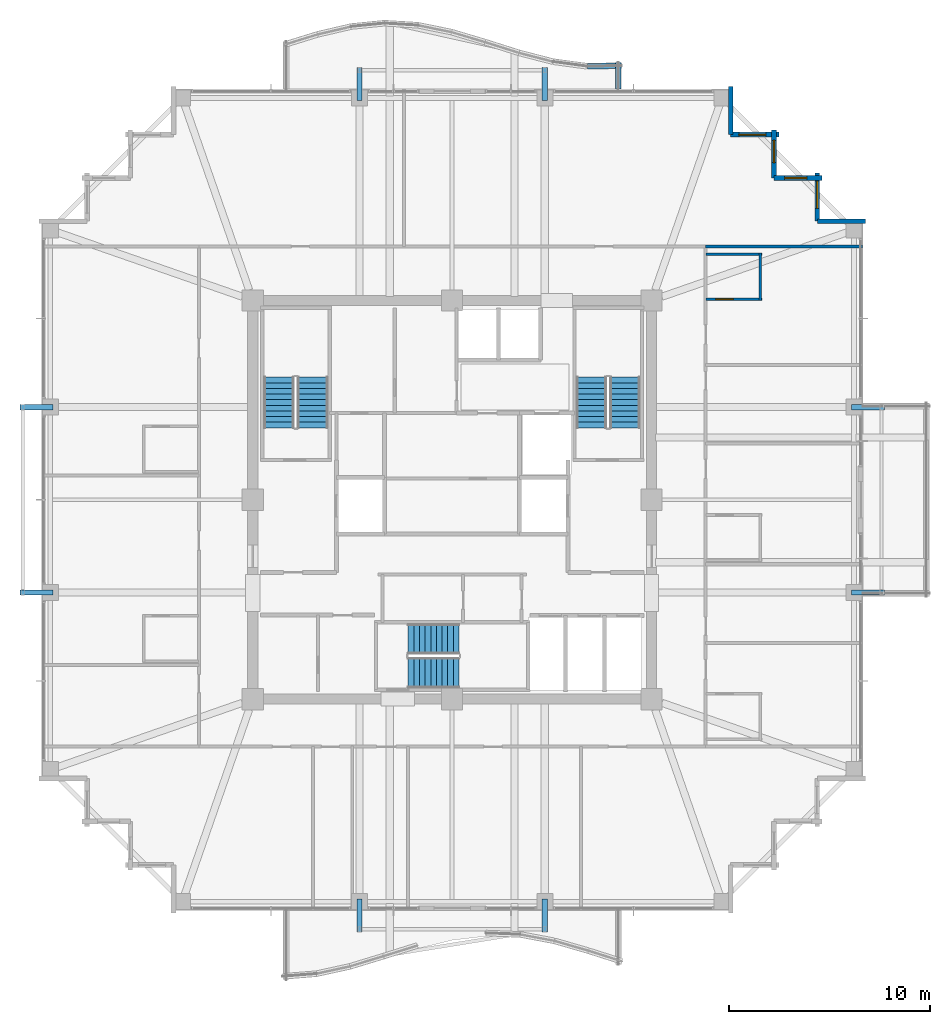
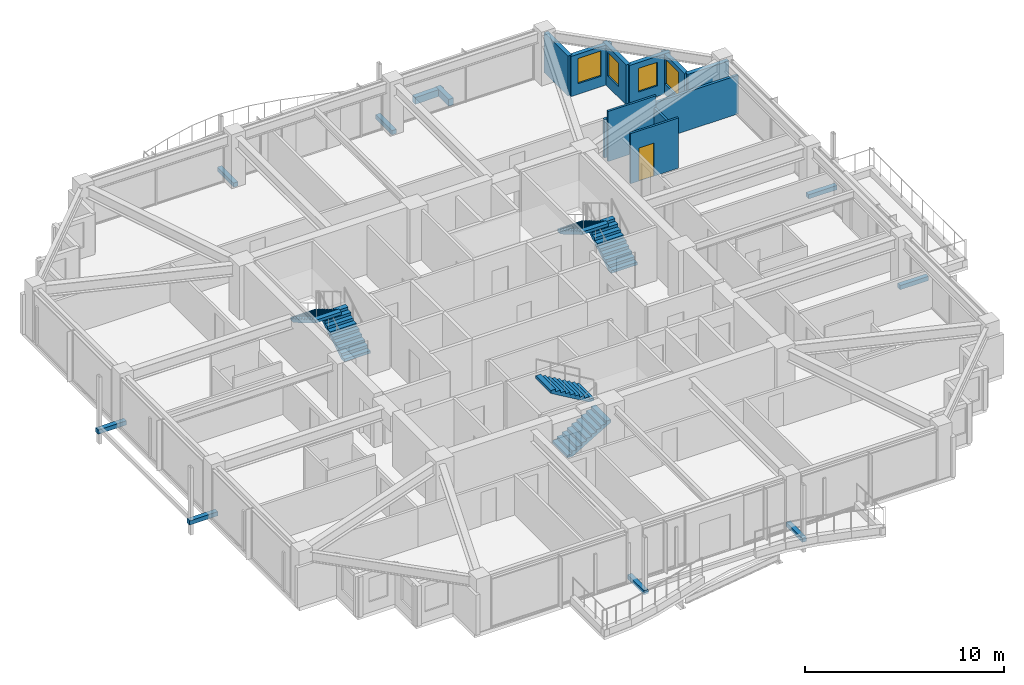
# One storey, part 36 of 38: 12 walls, 8 discrete accessories, 6 stair flights, 4 windows, 1 door, 5 openings, 3 elements without a shape of their own.
"""IFC4 building model written with IfcOpenShell, lengths in metres."""

import ifcopenshell
import ifcopenshell.guid

model = None  # the IFC model being written
_history = None  # IfcOwnerHistory: only IFC2X3 demands one
_inside = {}  # id of a spatial element -> (the spatial element, [elements in it])
_under = {}  # id of a project, library or spatial element -> (it, [spatial elements below it])
_declared = {}  # id of a project -> (the project, [libraries it declares])
_typed = {}  # id of a type object -> (the type object, [elements of that type])
_made_of = {}  # id of a material, layer set ... -> (it, [elements and type objects made of it])


def new_model(schema):
    """Start an empty IFC model of exactly this schema.

    Asked for "IFC4X3", IfcOpenShell would pick the latest addendum, in which some entities
    have other attributes; the version numbers below select the first issue.
    IFC2X3 requires an IfcOwnerHistory on every rooted entity: one is made here for all.
    """
    global model, _history
    if schema == "IFC4X3":
        model = ifcopenshell.file(schema_version=(4, 3, 0, 0))
    else:
        model = ifcopenshell.file(schema=schema)
    _inside.clear()
    _under.clear()
    _declared.clear()
    _typed.clear()
    _made_of.clear()
    _history = None
    if model.schema == "IFC2X3":
        org = make("IfcOrganization", Name="unknown")
        user = make(
            "IfcPersonAndOrganization",
            ThePerson=make("IfcPerson", FamilyName="unknown"),
            TheOrganization=org,
        )
        app = make(
            "IfcApplication",
            ApplicationDeveloper=org,
            Version="unknown",
            ApplicationFullName="unknown",
            ApplicationIdentifier="unknown",
        )
        _history = make(
            "IfcOwnerHistory",
            OwningUser=user,
            OwningApplication=app,
            ChangeAction="ADDED",
            CreationDate=0,
        )
    return model


def make(cls, **values):
    """One entity of the class cls with the attributes given. An attribute that is None is left unset."""
    return model.create_entity(
        cls, **{name: value for name, value in values.items() if value is not None}
    )


def rooted(cls, **values):
    """An entity with a GlobalId (a new one), such as an element, a storey or a relation."""
    return make(cls, GlobalId=ifcopenshell.guid.new(), OwnerHistory=_history, **values)


def si_unit(unit_type, name, prefix=None):
    """IfcSIUnit, for example si_unit("LENGTHUNIT", "METRE", prefix="MILLI")."""
    return make("IfcSIUnit", UnitType=unit_type, Prefix=prefix, Name=name)


def assignment(units):
    """IfcUnitAssignment: the units of a project."""
    return None if units is None else make("IfcUnitAssignment", Units=units)


def point(xyz):
    """IfcCartesianPoint."""
    return None if xyz is None else make("IfcCartesianPoint", Coordinates=xyz)


def direction(xyz):
    """IfcDirection."""
    return None if xyz is None else make("IfcDirection", DirectionRatios=xyz)


def frame(location, z_axis=None, x_axis=None):
    """IfcAxis2Placement3D, a coordinate frame: its origin and axes. An axis left out is left unset."""
    return make(
        "IfcAxis2Placement3D",
        Location=point(location),
        Axis=direction(z_axis),
        RefDirection=direction(x_axis),
    )


def frame_2d(location, x_axis=None):
    """IfcAxis2Placement2D, a coordinate frame in the plane: its origin and x axis."""
    return make(
        "IfcAxis2Placement2D", Location=point(location), RefDirection=direction(x_axis)
    )


def origin():
    """The frame at (0, 0, 0) with its axes left unset."""
    return frame((0.0, 0.0, 0.0))


def origin_2d():
    """The frame at (0, 0) in the plane with its x axis left unset."""
    return frame_2d((0.0, 0.0))


def place(relative_to, where):
    """IfcLocalPlacement: puts the frame where relative to a parent placement (None: the world)."""
    return make(
        "IfcLocalPlacement", PlacementRelTo=relative_to, RelativePlacement=where
    )


def context(
    kind, dimensions, precision=None, world=None, true_north=None, identifier=None
):
    """IfcGeometricRepresentationContext, for example the 3D "Model" context."""
    return make(
        "IfcGeometricRepresentationContext",
        ContextIdentifier=identifier,
        ContextType=kind,
        CoordinateSpaceDimension=dimensions,
        Precision=precision,
        WorldCoordinateSystem=world,
        TrueNorth=true_north,
    )


def subcontext(parent, identifier, kind, view, scale=None):
    """IfcGeometricRepresentationSubContext, for example "Body" below "Model"."""
    return make(
        "IfcGeometricRepresentationSubContext",
        ContextIdentifier=identifier,
        ContextType=kind,
        ParentContext=parent,
        TargetScale=scale,
        TargetView=view,
    )


def project(units=None, contexts=None):
    """IfcProject with its units and contexts."""
    return rooted(
        "IfcProject",
        Name="project",
        RepresentationContexts=contexts,
        UnitsInContext=assignment(units),
    )


def spatial(cls, under=None, at=None, **own):
    """A site, building, storey or space (cls), placed at a placement, below another one or the project."""
    s = rooted(cls, ObjectPlacement=at, **own)
    if under is not None:
        _under.setdefault(under.id(), (under, []))[1].append(s)
    return s


def polyline(points):
    """IfcPolyline through the points."""
    return make("IfcPolyline", Points=[point(p) for p in points])


def profile(cls, at=None, kind="AREA", **sizes):
    """A parametric profile (cls). Its sizes go by their IFC names, for example OverallWidth=200.0."""
    return make(cls, ProfileType=kind, Position=at, **sizes)


def rectangle(**sizes):
    """IfcRectangleProfileDef."""
    return profile("IfcRectangleProfileDef", **sizes)


def outline(outer, holes=None, kind="AREA"):
    """IfcArbitraryClosedProfileDef: a profile drawn as a closed curve; with holes, ...WithVoids."""
    if holes is None:
        return make("IfcArbitraryClosedProfileDef", ProfileType=kind, OuterCurve=outer)
    return make(
        "IfcArbitraryProfileDefWithVoids",
        ProfileType=kind,
        OuterCurve=outer,
        InnerCurves=holes,
    )


def extrude(swept, where, along, depth):
    """IfcExtrudedAreaSolid: the profile swept, set in the frame where, extruded along a direction by depth."""
    return make(
        "IfcExtrudedAreaSolid",
        SweptArea=swept,
        Position=where,
        ExtrudedDirection=direction(along),
        Depth=depth,
    )


def shape(context_of_items, identifier, shape_type, items):
    """IfcShapeRepresentation: the items that make up one representation, for example the "Body"."""
    return make(
        "IfcShapeRepresentation",
        ContextOfItems=context_of_items,
        RepresentationIdentifier=identifier,
        RepresentationType=shape_type,
        Items=items,
    )


def material(Name=None, Category=None):
    """IfcMaterial."""
    return make("IfcMaterial", Name=Name, Category=Category)


def layer(
    of_material, thickness, ventilated=None, Name=None, Category=None, Priority=None
):
    """IfcMaterialLayer: one layer of a wall or slab, of a material (None: an air gap)."""
    return make(
        "IfcMaterialLayer",
        Material=of_material,
        LayerThickness=thickness,
        IsVentilated=ventilated,
        Name=Name,
        Category=Category,
        Priority=Priority,
    )


def layer_set(layers, Name=None):
    """IfcMaterialLayerSet."""
    return make("IfcMaterialLayerSet", MaterialLayers=layers, LayerSetName=Name)


def made_of(thing, what):
    """Note that an element or type object is made of a material, layer set ...; save() writes the relation."""
    if what is not None:
        _made_of.setdefault(what.id(), (what, []))[1].append(thing)
    return thing


def type_object(cls, material=None, **own):
    """A type object (cls), such as IfcWallType, which elements share."""
    return made_of(rooted(cls, **own), material)


def element(
    cls,
    number,
    at=None,
    inside=None,
    cuts=None,
    type_object=None,
    material=None,
    context=None,
    identifier="Body",
    shape_type=None,
    held_by="IfcProductDefinitionShape",
    body=None,
    shapes=None,
    **own,
):
    """One element of the class cls, such as IfcWall. Its Tag is "e" and its number.

    at: its placement. inside: the storey or other place that contains it. cuts: it is an
    opening in that element (IfcRelVoidsElement). A single representation is given by context,
    identifier, shape_type and body (its items); several are given by shapes. held_by: the class
    of the entity that holds the representations. save() writes the other relations.
    """
    e = rooted(cls, Tag="e%d" % number, ObjectPlacement=at, **own)
    if body is not None:
        shapes = [shape(context, identifier, shape_type, body)]
    if shapes is not None:
        e.Representation = make(held_by, Representations=shapes)
    if inside is not None:
        _inside.setdefault(inside.id(), (inside, []))[1].append(e)
    if cuts is not None:
        rooted(
            "IfcRelVoidsElement", RelatingBuildingElement=cuts, RelatedOpeningElement=e
        )
    if type_object is not None:
        _typed.setdefault(type_object.id(), (type_object, []))[1].append(e)
    return made_of(e, material)


def fill(opening, filler):
    """IfcRelFillsElement: the door or window that sits in an opening."""
    return rooted(
        "IfcRelFillsElement",
        RelatingOpeningElement=opening,
        RelatedBuildingElement=filler,
    )


def aggregate(whole, parts):
    """IfcRelAggregates: a whole, such as a stair, and the parts it consists of."""
    return rooted("IfcRelAggregates", RelatingObject=whole, RelatedObjects=parts)


def save(model, path):
    """Write the relations noted so far, then the file.

    IfcRelAggregates (storeys below a building ...), IfcRelContainedInSpatialStructure (elements
    in a storey), IfcRelDefinesByType, IfcRelAssociatesMaterial and IfcRelDeclares: one each for
    every whole, place, type object, material and project.
    """
    for whole, parts in _under.values():
        aggregate(whole, parts)
    for where, things in _inside.values():
        rooted(
            "IfcRelContainedInSpatialStructure",
            RelatedElements=things,
            RelatingStructure=where,
        )
    for kind, things in _typed.values():
        rooted("IfcRelDefinesByType", RelatedObjects=things, RelatingType=kind)
    for what, things in _made_of.values():
        rooted("IfcRelAssociatesMaterial", RelatedObjects=things, RelatingMaterial=what)
    for by, libraries in _declared.values():
        rooted("IfcRelDeclares", RelatingContext=by, RelatedDefinitions=libraries)
    model.write(path)


model = new_model("IFC4")

# Units and contexts
model_context = context("Model", 3, precision=1e-05, world=origin(), true_north=direction((0.0, 1.0)))
body_context = subcontext(model_context, "Body", "Model", "MODEL_VIEW")
ifc_project = project(units=[si_unit("LENGTHUNIT", "METRE"), si_unit("AREAUNIT", "SQUARE_METRE"), si_unit("VOLUMEUNIT", "CUBIC_METRE"), si_unit("PLANEANGLEUNIT", "RADIAN"), si_unit("MASSUNIT", "GRAM", prefix="KILO")], contexts=[model_context])

# Site, building, storey
site_placement = place(None, origin())
site = spatial("IfcSite", under=ifc_project, at=site_placement, CompositionType="ELEMENT")
building_placement = place(site_placement, origin())
building = spatial("IfcBuilding", under=site, at=building_placement, Name="Kolvaren Belvedere", CompositionType="ELEMENT")
storey_placement = place(building_placement, frame((0.0, 0.0, 206.39990234375)))
storey = spatial("IfcBuildingStorey", under=building, at=storey_placement, Name="L60", CompositionType="ELEMENT", Elevation=206.39990234375)

# Wall
ifc_material_1 = material(Name="Insulated pale-metal facade wall assembly", Category="aluminium")
ifc_layer_1 = layer(ifc_material_1, 0.239990234375)
ifc_layer_set_1 = layer_set([ifc_layer_1], Name="Insulated pale-metal facade wall assembly")
wall_type_1 = type_object("IfcWallType", Name="WL-EXT-240", PredefinedType="STANDARD", material=ifc_layer_set_1)
wall_1_placement = place(storey_placement, frame((18.1298828125, 13.830078125, 0.0), z_axis=(0.0, 0.0, 1.0), x_axis=(1.0, 0.0, 0.0)))
element("IfcWall", 1, at=wall_1_placement, inside=storey, type_object=wall_type_1, Name="L60 Serrated Corner Facade Wall 9", PredefinedType="STANDARD", context=body_context, shape_type="SweptSolid", body=[
    extrude(rectangle(XDim=2.39013671875, YDim=0.239990234375, at=frame_2d((1.195068359375, 0.0))), origin(), (0.0, 0.0, 1.0), 2.463134765625),
])

# Wall, opening, window
wall_2_placement = place(storey_placement, frame((18.1298828125, 16.219970703125, 0.0), z_axis=(0.0, 0.0, 1.0), x_axis=(0.0, -1.0, 0.0)))
wall_2 = element("IfcWall", 2, at=wall_2_placement, inside=storey, type_object=wall_type_1, Name="L60 Serrated Corner Facade Wall 10", PredefinedType="STANDARD", context=body_context, shape_type="SweptSolid", body=[
    extrude(rectangle(XDim=2.389892578125, YDim=0.239990234375, at=frame_2d((1.19482421875, 0.0))), origin(), (0.0, 0.0, 1.0), 2.463134765625),
])
opening_1_placement = place(wall_2_placement, frame((0.39990234375, 0.0, 0.64990234375)))
opening_1 = element("IfcOpeningElement", 3, at=opening_1_placement, cuts=wall_2, Name="Opening W-1350", PredefinedType="OPENING", context=body_context, shape_type="SweptSolid", body=[
    extrude(rectangle(XDim=1.35009765625, YDim=1.550048828125, at=frame_2d((0.675048828125, 0.77490234375))), frame((0.0, 0.1298828125, 0.0), z_axis=(0.0, -1.0, 0.0), x_axis=(1.0, 0.0, 0.0)), (0.0, 0.0, 1.0), 0.260009765625),
])
ifc_material_2 = material(Name="Low-iron triple insulated glass", Category="glass")
window_type_1 = type_object("IfcWindowType", Name="WN-CORN-1350", PartitioningType="SINGLE_PANEL", PredefinedType="WINDOW", material=ifc_material_2)
window_1_placement = place(opening_1_placement, origin())
window_1 = element("IfcWindow", 4, at=window_1_placement, inside=storey, type_object=window_type_1, Name="L60 Serrated Corner Vision Window 10", OverallHeight=1.550048828125, OverallWidth=1.35009765625, PartitioningType="SINGLE_PANEL", PredefinedType="WINDOW", context=body_context, shape_type="SweptSolid", body=[
    extrude(rectangle(XDim=1.35009765625, YDim=1.550048828125, at=frame_2d((0.675048828125, 0.77490234375))), frame((0.0, 0.030029296875, 0.0), z_axis=(0.0, -1.0, 0.0), x_axis=(1.0, 0.0, 0.0)), (0.0, 0.0, 1.0), 0.06005859375),
])
fill(opening_1, window_1)

wall_3_placement = place(storey_placement, frame((15.97998046875, 15.97998046875, 0.0), z_axis=(0.0, 0.0, 1.0), x_axis=(1.0, 0.0, 0.0)))
wall_3 = element("IfcWall", 5, at=wall_3_placement, inside=storey, type_object=wall_type_1, Name="L60 Serrated Corner Facade Wall 11", PredefinedType="STANDARD", context=body_context, shape_type="SweptSolid", body=[
    extrude(rectangle(XDim=2.39013671875, YDim=0.239990234375, at=frame_2d((1.195068359375, 0.0))), origin(), (0.0, 0.0, 1.0), 2.463134765625),
])
opening_2_placement = place(wall_3_placement, frame((0.52490234375, 0.0, 0.64990234375)))
opening_2 = element("IfcOpeningElement", 6, at=opening_2_placement, cuts=wall_3, Name="Opening W-1100", PredefinedType="OPENING", context=body_context, shape_type="SweptSolid", body=[
    extrude(rectangle(XDim=1.10009765625, YDim=1.449951171875, at=frame_2d((0.550048828125, 0.72509765625))), frame((0.0, 0.1298828125, 0.0), z_axis=(0.0, -1.0, 0.0), x_axis=(1.0, 0.0, 0.0)), (0.0, 0.0, 1.0), 0.260009765625),
])
ifc_material_3 = material(Name="Low-iron triple insulated glass", Category="glass")
window_type_2 = type_object("IfcWindowType", Name="WN-CORN-1100", PartitioningType="SINGLE_PANEL", PredefinedType="WINDOW", material=ifc_material_3)
window_2_placement = place(opening_2_placement, origin())
window_2 = element("IfcWindow", 7, at=window_2_placement, inside=storey, type_object=window_type_2, Name="L60 Serrated Corner Vision Window 11", OverallHeight=1.449951171875, OverallWidth=1.10009765625, PartitioningType="SINGLE_PANEL", PredefinedType="WINDOW", context=body_context, shape_type="SweptSolid", body=[
    extrude(rectangle(XDim=1.10009765625, YDim=1.449951171875, at=frame_2d((0.550048828125, 0.72509765625))), frame((0.0, 0.030029296875, 0.0), z_axis=(0.0, -1.0, 0.0), x_axis=(1.0, 0.0, 0.0)), (0.0, 0.0, 1.0), 0.06005859375),
])
fill(opening_2, window_2)

wall_4_placement = place(storey_placement, frame((15.97998046875, 18.3701171875, 0.0), z_axis=(0.0, 0.0, 1.0), x_axis=(0.0, -1.0, 0.0)))
wall_4 = element("IfcWall", 8, at=wall_4_placement, inside=storey, type_object=wall_type_1, Name="L60 Serrated Corner Facade Wall 12", PredefinedType="STANDARD", context=body_context, shape_type="SweptSolid", body=[
    extrude(rectangle(XDim=2.39013671875, YDim=0.239990234375, at=frame_2d((1.195068359375, 0.0))), origin(), (0.0, 0.0, 1.0), 2.463134765625),
])
opening_3_placement = place(wall_4_placement, frame((0.52490234375, 0.0, 0.64990234375)))
opening_3 = element("IfcOpeningElement", 9, at=opening_3_placement, cuts=wall_4, Name="Opening W-1100", PredefinedType="OPENING", context=body_context, shape_type="SweptSolid", body=[
    extrude(rectangle(XDim=1.10009765625, YDim=1.449951171875, at=frame_2d((0.550048828125, 0.72509765625))), frame((0.0, 0.1298828125, 0.0), z_axis=(0.0, -1.0, 0.0), x_axis=(1.0, 0.0, 0.0)), (0.0, 0.0, 1.0), 0.260009765625),
])
window_3_placement = place(opening_3_placement, origin())
window_3 = element("IfcWindow", 10, at=window_3_placement, inside=storey, type_object=window_type_2, Name="L60 Serrated Corner Vision Window 12", OverallHeight=1.449951171875, OverallWidth=1.10009765625, PartitioningType="SINGLE_PANEL", PredefinedType="WINDOW", context=body_context, shape_type="SweptSolid", body=[
    extrude(rectangle(XDim=1.10009765625, YDim=1.449951171875, at=frame_2d((0.550048828125, 0.72509765625))), frame((0.0, 0.030029296875, 0.0), z_axis=(0.0, -1.0, 0.0), x_axis=(1.0, 0.0, 0.0)), (0.0, 0.0, 1.0), 0.06005859375),
])
fill(opening_3, window_3)

wall_5_placement = place(storey_placement, frame((13.830078125, 18.1298828125, 0.0), z_axis=(0.0, 0.0, 1.0), x_axis=(1.0, 0.0, 0.0)))
wall_5 = element("IfcWall", 11, at=wall_5_placement, inside=storey, type_object=wall_type_1, Name="L60 Serrated Corner Facade Wall 13", PredefinedType="STANDARD", context=body_context, shape_type="SweptSolid", body=[
    extrude(rectangle(XDim=2.389892578125, YDim=0.239990234375, at=frame_2d((1.19482421875, 0.0))), origin(), (0.0, 0.0, 1.0), 2.463134765625),
])
opening_4_placement = place(wall_5_placement, frame((0.39990234375, 0.0, 0.64990234375)))
opening_4 = element("IfcOpeningElement", 12, at=opening_4_placement, cuts=wall_5, Name="Opening W-1350", PredefinedType="OPENING", context=body_context, shape_type="SweptSolid", body=[
    extrude(rectangle(XDim=1.35009765625, YDim=1.550048828125, at=frame_2d((0.675048828125, 0.77490234375))), frame((0.0, 0.1298828125, 0.0), z_axis=(0.0, -1.0, 0.0), x_axis=(1.0, 0.0, 0.0)), (0.0, 0.0, 1.0), 0.260009765625),
])
window_4_placement = place(opening_4_placement, origin())
window_4 = element("IfcWindow", 13, at=window_4_placement, inside=storey, type_object=window_type_1, Name="L60 Serrated Corner Vision Window 13", OverallHeight=1.550048828125, OverallWidth=1.35009765625, PartitioningType="SINGLE_PANEL", PredefinedType="WINDOW", context=body_context, shape_type="SweptSolid", body=[
    extrude(rectangle(XDim=1.35009765625, YDim=1.550048828125, at=frame_2d((0.675048828125, 0.77490234375))), frame((0.0, 0.030029296875, 0.0), z_axis=(0.0, -1.0, 0.0), x_axis=(1.0, 0.0, 0.0)), (0.0, 0.0, 1.0), 0.06005859375),
])
fill(opening_4, window_4)

# Walls
wall_6_placement = place(storey_placement, frame((13.830078125, 20.52001953125, 0.0), z_axis=(0.0, 0.0, 1.0), x_axis=(0.0, -1.0, 0.0)))
element("IfcWall", 14, at=wall_6_placement, inside=storey, type_object=wall_type_1, Name="L60 Serrated Corner Facade Wall 14", PredefinedType="STANDARD", context=body_context, shape_type="SweptSolid", body=[
    extrude(rectangle(XDim=2.39013671875, YDim=0.239990234375, at=frame_2d((1.195068359375, 0.0))), origin(), (0.0, 0.0, 1.0), 2.463134765625),
])
ifc_material_4 = material(Name="Gypsum acoustic partition assembly", Category="gypsum")
ifc_layer_2 = layer(ifc_material_4, 0.14990234375)
ifc_layer_set_2 = layer_set([ifc_layer_2], Name="Gypsum acoustic partition assembly")
wall_type_2 = type_object("IfcWallType", Name="WL-PART-150", PredefinedType="PARTITIONING", material=ifc_layer_set_2)
wall_7_placement = place(storey_placement, frame((12.580078125, 12.580078125, 0.0), z_axis=(0.0, 0.0, 1.0), x_axis=(1.0, 0.0, 0.0)))
element("IfcWall", 15, at=wall_7_placement, inside=storey, type_object=wall_type_2, Name="L60 Wing Divider PW-L60-QNE", PredefinedType="PARTITIONING", context=body_context, shape_type="SweptSolid", body=[
    extrude(rectangle(XDim=7.7998046875, YDim=0.14990234375, at=frame_2d((3.89990234375, 0.0))), origin(), (0.0, 0.0, 1.0), 2.369140625),
])
ifc_material_5 = material(Name="Precast concrete C40/50", Category="concrete")
ifc_layer_3 = layer(ifc_material_5, 0.300048828125)
ifc_layer_set_3 = layer_set([ifc_layer_3], Name="Precast concrete C40/50")
wall_type_3 = type_object("IfcWallType", Name="WL-PLANTER-300", PredefinedType="PARAPET", material=ifc_layer_set_3)
wall_8_placement = place(storey_placement, frame((8.239990234375, 20.39990234375, -0.039794921875), z_axis=(0.0, 0.0, 1.0), x_axis=(0.0, 1.0, 0.0)))
element("IfcWall", 16, at=wall_8_placement, inside=storey, type_object=wall_type_3, Name="L60 Precast Structural Planter Wall BAL-N-11", PredefinedType="PARAPET", context=body_context, shape_type="SweptSolid", body=[
    extrude(rectangle(XDim=1.31298828125, YDim=0.280029296875, at=frame_2d((0.656494140625, 0.0))), origin(), (0.0, 0.0, 1.0), 0.419921875),
])
wall_9_placement = place(storey_placement, frame((8.4033203125, 21.552978515625, -0.039794921875), z_axis=(0.0, 0.0, 1.0), x_axis=(-0.99979609052, -0.020193498486, 0.0)))
element("IfcWall", 17, at=wall_9_placement, inside=storey, type_object=wall_type_3, Name="L60 Precast Structural Planter Wall BAL-N-12", PredefinedType="PARAPET", context=body_context, shape_type="SweptSolid", body=[
    extrude(rectangle(XDim=1.680419921875, YDim=0.280029296875, at=frame_2d((0.84033203125, 0.0))), origin(), (0.0, 0.0, 1.0), 0.419921875),
])

# Wall, opening, door
ifc_material_6 = material(Name="Moisture-resistant gypsum partition", Category="gypsum")
ifc_layer_4 = layer(ifc_material_6, 0.125)
ifc_layer_set_4 = layer_set([ifc_layer_4], Name="Moisture-resistant gypsum partition")
wall_type_4 = type_object("IfcWallType", Name="WL-WET-125", PredefinedType="PARTITIONING", material=ifc_layer_set_4)
wall_10_placement = place(storey_placement, frame((12.594970703125, 9.950927734375, 0.0), z_axis=(0.0, 0.0, 1.0), x_axis=(1.0, 0.0, 0.0)))
wall_10 = element("IfcWall", 18, at=wall_10_placement, inside=storey, type_object=wall_type_4, Name="L60 Bathroom Partition PW-L60-BTH-8-N", PredefinedType="PARTITIONING", context=body_context, shape_type="SweptSolid", body=[
    extrude(rectangle(XDim=2.7900390625, YDim=0.125, at=frame_2d((1.39501953125, 0.0))), origin(), (0.0, 0.0, 1.0), 3.080078125),
])
opening_5_placement = place(wall_10_placement, frame((0.5, 0.0, 0.0)))
opening_5 = element("IfcOpeningElement", 19, at=opening_5_placement, cuts=wall_10, Name="Opening D-BTH85", PredefinedType="OPENING", context=body_context, shape_type="SweptSolid", body=[
    extrude(rectangle(XDim=0.85009765625, YDim=2.030029296875, at=frame_2d((0.425048828125, 1.01513671875))), frame((0.0, 0.072509765625, 0.0), z_axis=(0.0, -1.0, 0.0), x_axis=(1.0, 0.0, 0.0)), (0.0, 0.0, 1.0), 0.14501953125),
])
ifc_material_7 = material(Name="Moisture-sealed Pacific white oak", Category="timber")
door_type = type_object("IfcDoorType", Name="DR-BATH-850", OperationType="NOTDEFINED", PredefinedType="DOOR", material=ifc_material_7)
door_placement = place(opening_5_placement, origin())
door = element("IfcDoor", 20, at=door_placement, inside=storey, type_object=door_type, Name="L60 En-Suite Bathroom 6008 Door", OperationType="SINGLE_SWING_RIGHT", OverallHeight=2.030029296875, OverallWidth=0.85009765625, PredefinedType="DOOR", context=body_context, shape_type="SweptSolid", body=[
    extrude(rectangle(XDim=0.85009765625, YDim=2.030029296875, at=frame_2d((0.425048828125, 1.01513671875))), frame((0.0, 0.02490234375, 0.0), z_axis=(0.0, -1.0, 0.0), x_axis=(1.0, 0.0, 0.0)), (0.0, 0.0, 1.0), 0.050048828125),
])
fill(opening_5, door)

# Walls
wall_11_placement = place(storey_placement, frame((15.304931640625, 9.89111328125, 0.0), z_axis=(0.0, 0.0, 1.0), x_axis=(0.0, 1.0, 0.0)))
element("IfcWall", 21, at=wall_11_placement, inside=storey, type_object=wall_type_4, Name="L60 Bathroom Partition PW-L60-BTH-8-V", PredefinedType="PARTITIONING", context=body_context, shape_type="SweptSolid", body=[
    extrude(rectangle(XDim=2.369873046875, YDim=0.125, at=frame_2d((1.18505859375, 0.0))), origin(), (0.0, 0.0, 1.0), 2.369140625),
])
wall_12_placement = place(storey_placement, frame((12.594970703125, 12.200927734375, 0.0), z_axis=(0.0, 0.0, 1.0), x_axis=(1.0, 0.0, 0.0)))
element("IfcWall", 22, at=wall_12_placement, inside=storey, type_object=wall_type_4, Name="L60 Bathroom Partition PW-L60-BTH-8-S", PredefinedType="PARTITIONING", context=body_context, shape_type="SweptSolid", body=[
    extrude(rectangle(XDim=2.7900390625, YDim=0.125, at=frame_2d((1.39501953125, 0.0))), origin(), (0.0, 0.0, 1.0), 3.080078125),
])

# Stair, stair flights
ifc_material_8 = material(Name="Concrete C50/60", Category="concrete")
stair_type = type_object("IfcStairType", Name="ST-CORE-1520", PredefinedType="HALF_TURN_STAIR", material=ifc_material_8)
stair_1_placement = place(storey_placement, origin())
stair_1 = element("IfcStair", 23, at=stair_1_placement, inside=storey, type_object=stair_type, Name="L60 Protected Exit Stair ST-1", PredefinedType="HALF_TURN_STAIR")
ifc_material_9 = material(Name="Concrete C50/60", Category="concrete")
stair_flight_type = type_object("IfcStairFlightType", Name="SF-STR-1520", PredefinedType="STRAIGHT", material=ifc_material_9)
stair_flight_1_placement = place(storey_placement, frame((-6.919921875, 3.570068359375, 0.0), z_axis=(0.0, 0.0, 1.0), x_axis=(0.0, 1.0, 0.0)))
stair_flight_1 = element("IfcStairFlight", 24, at=stair_flight_1_placement, type_object=stair_flight_type, Name="ST-1 flight 1", NumberOfRisers=10, NumberOfTreads=9, PredefinedType="STRAIGHT", RiserHeight=0.165, TreadLength=0.28, context=body_context, shape_type="SweptSolid", body=[
    extrude(outline(polyline([(0.0, 0.0), (0.0, 0.1650390625), (0.280029296875, 0.1650390625), (0.280029296875, 0.330078125), (0.56005859375, 0.330078125), (0.56005859375, 0.4951171875), (0.840087890625, 0.4951171875), (0.840087890625, 0.659912109375), (1.1201171875, 0.659912109375), (1.1201171875, 0.824951171875), (1.39990234375, 0.824951171875), (1.39990234375, 0.989990234375), (1.679931640625, 0.989990234375), (1.679931640625, 1.155029296875), (1.9599609375, 1.155029296875), (1.9599609375, 1.320068359375), (2.239990234375, 1.320068359375), (2.239990234375, 1.485107421875), (2.52001953125, 1.485107421875), (2.52001953125, 1.64990234375), (2.52001953125, 1.31103515625), (0.295166015625, 0.0), (0.0, 0.0)])), frame((0.0, 0.760009765625, 0.0), z_axis=(0.0, -1.0, 0.0), x_axis=(1.0, 0.0, 0.0)), (0.0, 0.0, 1.0), 1.52001953125),
])
stair_flight_2_placement = place(storey_placement, frame((-8.590087890625, 6.090087890625, 1.650146484375), z_axis=(0.0, 0.0, 1.0), x_axis=(0.0, -1.0, 0.0)))
stair_flight_2 = element("IfcStairFlight", 25, at=stair_flight_2_placement, type_object=stair_flight_type, Name="ST-1 flight 2", NumberOfRisers=10, NumberOfTreads=9, PredefinedType="STRAIGHT", RiserHeight=0.165, TreadLength=0.28, context=body_context, shape_type="SweptSolid", body=[
    extrude(outline(polyline([(0.0, 0.0), (0.0, 0.1650390625), (0.280029296875, 0.1650390625), (0.280029296875, 0.330078125), (0.56005859375, 0.330078125), (0.56005859375, 0.4951171875), (0.840087890625, 0.4951171875), (0.840087890625, 0.659912109375), (1.1201171875, 0.659912109375), (1.1201171875, 0.824951171875), (1.39990234375, 0.824951171875), (1.39990234375, 0.989990234375), (1.679931640625, 0.989990234375), (1.679931640625, 1.155029296875), (1.9599609375, 1.155029296875), (1.9599609375, 1.320068359375), (2.239990234375, 1.320068359375), (2.239990234375, 1.485107421875), (2.52001953125, 1.485107421875), (2.52001953125, 1.64990234375), (2.52001953125, 1.31103515625), (0.295166015625, 0.0), (0.0, 0.0)])), frame((0.0, 0.760009765625, 0.0), z_axis=(0.0, -1.0, 0.0), x_axis=(1.0, 0.0, 0.0)), (0.0, 0.0, 1.0), 1.52001953125),
])
aggregate(stair_1, [stair_flight_1, stair_flight_2])

stair_2_placement = place(storey_placement, origin())
stair_2 = element("IfcStair", 26, at=stair_2_placement, inside=storey, type_object=stair_type, Name="L60 Protected Exit Stair ST-2", PredefinedType="HALF_TURN_STAIR")
stair_flight_3_placement = place(storey_placement, frame((8.590087890625, 3.570068359375, 0.0), z_axis=(0.0, 0.0, 1.0), x_axis=(0.0, 1.0, 0.0)))
stair_flight_3 = element("IfcStairFlight", 27, at=stair_flight_3_placement, type_object=stair_flight_type, Name="ST-2 flight 1", NumberOfRisers=10, NumberOfTreads=9, PredefinedType="STRAIGHT", RiserHeight=0.165, TreadLength=0.28, context=body_context, shape_type="SweptSolid", body=[
    extrude(outline(polyline([(0.0, 0.0), (0.0, 0.1650390625), (0.280029296875, 0.1650390625), (0.280029296875, 0.330078125), (0.56005859375, 0.330078125), (0.56005859375, 0.4951171875), (0.840087890625, 0.4951171875), (0.840087890625, 0.659912109375), (1.1201171875, 0.659912109375), (1.1201171875, 0.824951171875), (1.39990234375, 0.824951171875), (1.39990234375, 0.989990234375), (1.679931640625, 0.989990234375), (1.679931640625, 1.155029296875), (1.9599609375, 1.155029296875), (1.9599609375, 1.320068359375), (2.239990234375, 1.320068359375), (2.239990234375, 1.485107421875), (2.52001953125, 1.485107421875), (2.52001953125, 1.64990234375), (2.52001953125, 1.31103515625), (0.295166015625, 0.0), (0.0, 0.0)])), frame((0.0, 0.760009765625, 0.0), z_axis=(0.0, -1.0, 0.0), x_axis=(1.0, 0.0, 0.0)), (0.0, 0.0, 1.0), 1.52001953125),
])
stair_flight_4_placement = place(storey_placement, frame((6.919921875, 6.090087890625, 1.650146484375), z_axis=(0.0, 0.0, 1.0), x_axis=(0.0, -1.0, 0.0)))
stair_flight_4 = element("IfcStairFlight", 28, at=stair_flight_4_placement, type_object=stair_flight_type, Name="ST-2 flight 2", NumberOfRisers=10, NumberOfTreads=9, PredefinedType="STRAIGHT", RiserHeight=0.165, TreadLength=0.28, context=body_context, shape_type="SweptSolid", body=[
    extrude(outline(polyline([(0.0, 0.0), (0.0, 0.1650390625), (0.280029296875, 0.1650390625), (0.280029296875, 0.330078125), (0.56005859375, 0.330078125), (0.56005859375, 0.4951171875), (0.840087890625, 0.4951171875), (0.840087890625, 0.659912109375), (1.1201171875, 0.659912109375), (1.1201171875, 0.824951171875), (1.39990234375, 0.824951171875), (1.39990234375, 0.989990234375), (1.679931640625, 0.989990234375), (1.679931640625, 1.155029296875), (1.9599609375, 1.155029296875), (1.9599609375, 1.320068359375), (2.239990234375, 1.320068359375), (2.239990234375, 1.485107421875), (2.52001953125, 1.485107421875), (2.52001953125, 1.64990234375), (2.52001953125, 1.31103515625), (0.295166015625, 0.0), (0.0, 0.0)])), frame((0.0, 0.760009765625, 0.0), z_axis=(0.0, -1.0, 0.0), x_axis=(1.0, 0.0, 0.0)), (0.0, 0.0, 1.0), 1.52001953125),
])
aggregate(stair_2, [stair_flight_3, stair_flight_4])

stair_3_placement = place(storey_placement, origin())
stair_3 = element("IfcStair", 29, at=stair_3_placement, inside=storey, type_object=stair_type, Name="L60 Protected Exit Stair ST-3", PredefinedType="HALF_TURN_STAIR")
stair_flight_5_placement = place(storey_placement, frame((-2.179931640625, -8.590087890625, 0.0), z_axis=(0.0, 0.0, 1.0), x_axis=(1.0, 0.0, 0.0)))
stair_flight_5 = element("IfcStairFlight", 30, at=stair_flight_5_placement, type_object=stair_flight_type, Name="ST-3 flight 1", NumberOfRisers=10, NumberOfTreads=9, PredefinedType="STRAIGHT", RiserHeight=0.165, TreadLength=0.28, context=body_context, shape_type="SweptSolid", body=[
    extrude(outline(polyline([(0.0, 0.0), (0.0, 0.1650390625), (0.280029296875, 0.1650390625), (0.280029296875, 0.330078125), (0.56005859375, 0.330078125), (0.56005859375, 0.4951171875), (0.840087890625, 0.4951171875), (0.840087890625, 0.659912109375), (1.1201171875, 0.659912109375), (1.1201171875, 0.824951171875), (1.39990234375, 0.824951171875), (1.39990234375, 0.989990234375), (1.679931640625, 0.989990234375), (1.679931640625, 1.155029296875), (1.9599609375, 1.155029296875), (1.9599609375, 1.320068359375), (2.239990234375, 1.320068359375), (2.239990234375, 1.485107421875), (2.52001953125, 1.485107421875), (2.52001953125, 1.64990234375), (2.52001953125, 1.31103515625), (0.295166015625, 0.0), (0.0, 0.0)])), frame((0.0, 0.760009765625, 0.0), z_axis=(0.0, -1.0, 0.0), x_axis=(1.0, 0.0, 0.0)), (0.0, 0.0, 1.0), 1.52001953125),
])
stair_flight_6_placement = place(storey_placement, frame((0.340087890625, -6.919921875, 1.650146484375), z_axis=(0.0, 0.0, 1.0), x_axis=(-1.0, 0.0, 0.0)))
stair_flight_6 = element("IfcStairFlight", 31, at=stair_flight_6_placement, type_object=stair_flight_type, Name="ST-3 flight 2", NumberOfRisers=10, NumberOfTreads=9, PredefinedType="STRAIGHT", RiserHeight=0.165, TreadLength=0.28, context=body_context, shape_type="SweptSolid", body=[
    extrude(outline(polyline([(0.0, 0.0), (0.0, 0.1650390625), (0.280029296875, 0.1650390625), (0.280029296875, 0.330078125), (0.56005859375, 0.330078125), (0.56005859375, 0.4951171875), (0.840087890625, 0.4951171875), (0.840087890625, 0.659912109375), (1.1201171875, 0.659912109375), (1.1201171875, 0.824951171875), (1.39990234375, 0.824951171875), (1.39990234375, 0.989990234375), (1.679931640625, 0.989990234375), (1.679931640625, 1.155029296875), (1.9599609375, 1.155029296875), (1.9599609375, 1.320068359375), (2.239990234375, 1.320068359375), (2.239990234375, 1.485107421875), (2.52001953125, 1.485107421875), (2.52001953125, 1.64990234375), (2.52001953125, 1.31103515625), (0.295166015625, 0.0), (0.0, 0.0)])), frame((0.0, 0.760009765625, 0.0), z_axis=(0.0, -1.0, 0.0), x_axis=(1.0, 0.0, 0.0)), (0.0, 0.0, 1.0), 1.52001953125),
])
aggregate(stair_3, [stair_flight_5, stair_flight_6])

# Discrete accessories
ifc_material_10 = material(Name="Structural steel ASTM A572 Grade 50", Category="steel")
discrete_accessory_type = type_object("IfcDiscreteAccessoryType", Name="BRK-1 Steel Facade Support Bracket", PredefinedType="BRACKET", material=ifc_material_10)
for number, where, z_axis, x_axis, name in (
    (32, (-4.60009765625, 20.635009765625, -0.169921875), (0.0, 0.0, 1.0), (0.0, 1.0, 0.0), "L60 Picture-Frame Outrigger Cleat Bracket N1"),
    (33, (4.60009765625, 20.635009765625, -0.169921875), (0.0, 0.0, 1.0), (0.0, 1.0, 0.0), "L60 Picture-Frame Outrigger Cleat Bracket N2"),
    (34, (4.60009765625, -20.635009765625, -0.169921875), (0.0, 0.0, 1.0), (0.0, 1.0, 0.0), "L60 Picture-Frame Outrigger Cleat Bracket S1"),
    (35, (-4.60009765625, -20.635009765625, -0.169921875), (0.0, 0.0, 1.0), (0.0, 1.0, 0.0), "L60 Picture-Frame Outrigger Cleat Bracket S2"),
    (36, (20.635009765625, 4.60009765625, -0.169921875), (0.0, 0.0, 1.0), (1.0, 0.0, 0.0), "L60 Picture-Frame Outrigger Cleat Bracket E1"),
    (37, (20.635009765625, -4.60009765625, -0.169921875), (0.0, 0.0, 1.0), (1.0, 0.0, 0.0), "L60 Picture-Frame Outrigger Cleat Bracket E2"),
    (38, (-20.635009765625, -4.60009765625, -0.169921875), (0.0, 0.0, 1.0), (1.0, 0.0, 0.0), "L60 Picture-Frame Outrigger Cleat Bracket W1"),
    (39, (-20.635009765625, 4.60009765625, -0.169921875), (0.0, 0.0, 1.0), (1.0, 0.0, 0.0), "L60 Picture-Frame Outrigger Cleat Bracket W2"),
):
    element("IfcDiscreteAccessory", number, at=place(storey_placement, frame(where, z_axis=z_axis, x_axis=x_axis)), inside=storey, type_object=discrete_accessory_type, Name=name, PredefinedType="BRACKET", context=body_context, shape_type="SweptSolid", body=[
        extrude(rectangle(XDim=1.639892578125, YDim=0.260009765625, at=origin_2d()), origin(), (0.0, 0.0, 1.0), 0.260009765625),
    ])

save(model, "model.ifc")
